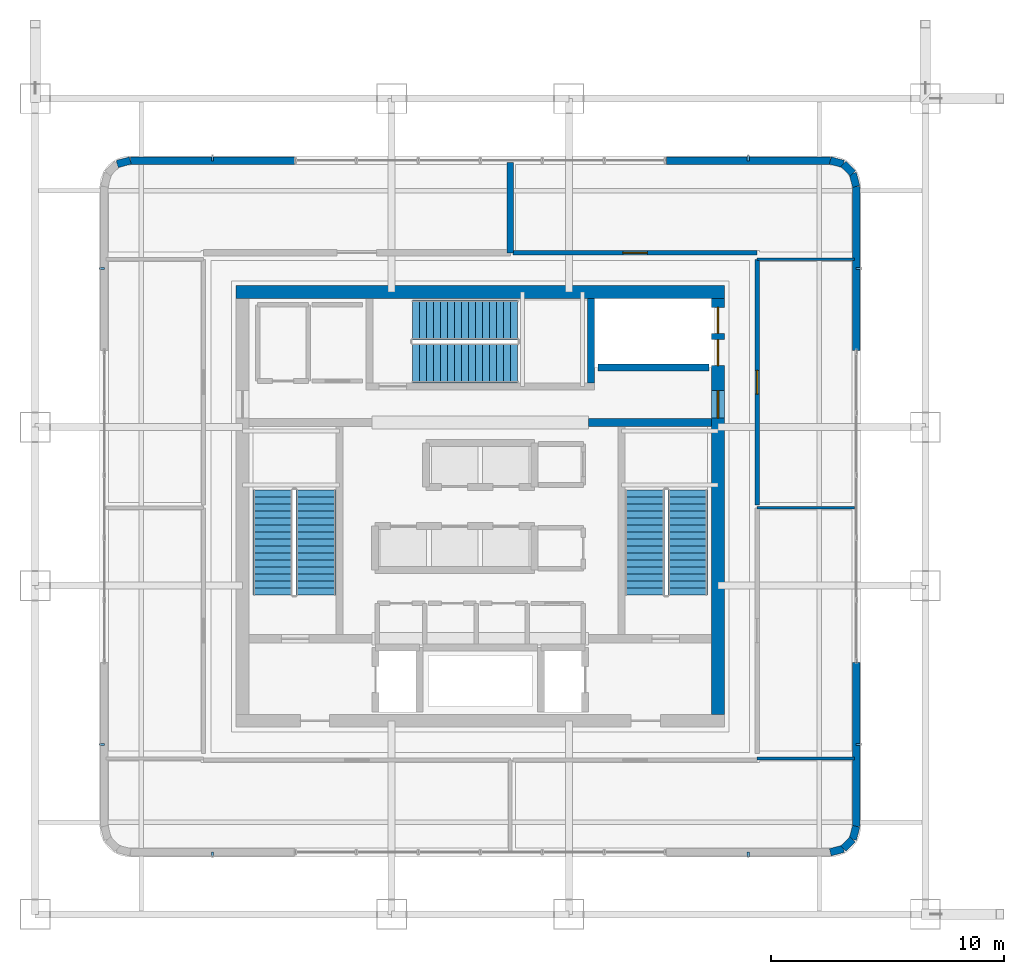
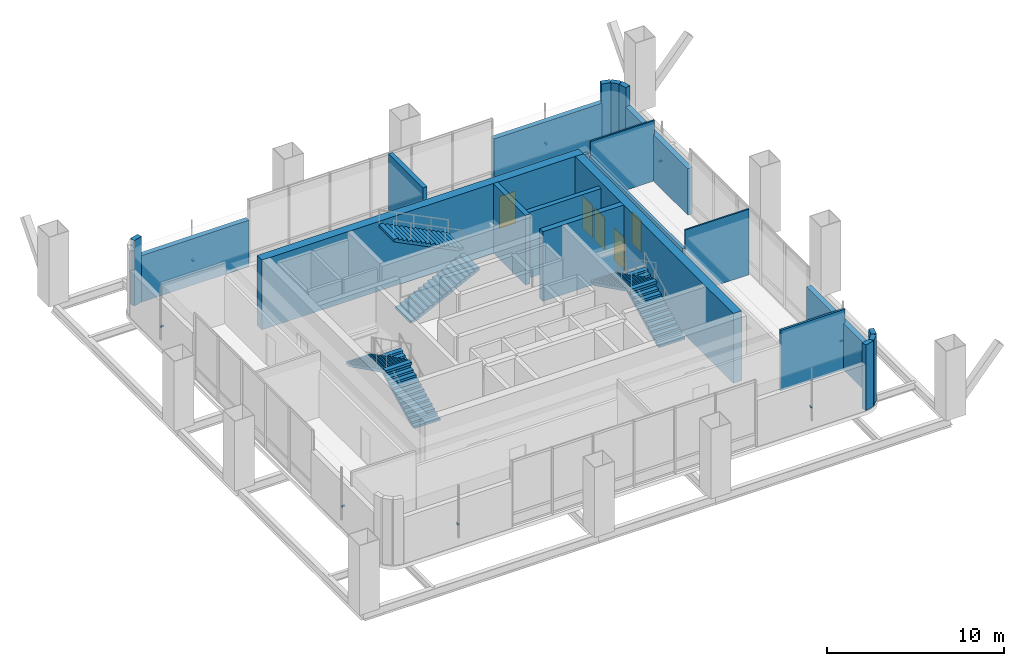
# One storey, part 22 of 33: 22 walls, 8 discrete accessories, 6 stair flights, 5 doors, 5 openings, 3 elements without a shape of their own.
"""IFC4 building model written with IfcOpenShell, lengths in metres."""

from ifc_helpers import new_model, si_unit, direction, frame, frame_2d, origin, origin_2d, place, context, subcontext, project, spatial, polyline, rectangle, outline, extrude, material, layer, layer_set, type_object, element, fill, aggregate, save


model = new_model("IFC4")

# Units and contexts
model_context = context("Model", 3, precision=1e-05, world=origin(), true_north=direction((0.0, 1.0)))
body_context = subcontext(model_context, "Body", "Model", "MODEL_VIEW")
ifc_project = project(units=[si_unit("LENGTHUNIT", "METRE"), si_unit("AREAUNIT", "SQUARE_METRE"), si_unit("VOLUMEUNIT", "CUBIC_METRE"), si_unit("PLANEANGLEUNIT", "RADIAN"), si_unit("MASSUNIT", "GRAM", prefix="KILO")], contexts=[model_context])

# Site, building, storey
site_placement = place(None, origin())
site = spatial("IfcSite", under=ifc_project, at=site_placement, CompositionType="ELEMENT")
building_placement = place(site_placement, origin())
building = spatial("IfcBuilding", under=site, at=building_placement, Name="Punatoya Terracotta Tower", CompositionType="ELEMENT")
storey_placement = place(building_placement, frame((0.0, 0.0, 246.60009765625)))
storey = spatial("IfcBuildingStorey", under=building, at=storey_placement, Name="L58", CompositionType="ELEMENT", Elevation=246.60009765625)

# Walls
ifc_material_1 = material(Name="Concrete C40/50", Category="concrete")
ifc_layer_1 = layer(ifc_material_1, 0.280029296875)
ifc_layer_set_1 = layer_set([ifc_layer_1], Name="Concrete C40/50")
wall_type_1 = type_object("IfcWallType", Name="WL-AUD-280", PredefinedType="SOLIDWALL", material=ifc_layer_set_1)
wall_1_placement = place(storey_placement, frame((1.285888671875, 14.760009765625, 0.0), z_axis=(0.0, 0.0, 1.0), x_axis=(0.0, -1.0, 0.0)))
element("IfcWall", 1, at=wall_1_placement, inside=storey, type_object=wall_type_1, Name="L58 Waterfront Espresso Bistro Partition 35", PredefinedType="SOLIDWALL", context=body_context, shape_type="SweptSolid", body=[
    extrude(rectangle(XDim=3.880126953125, YDim=0.280029296875, at=frame_2d((1.93994140625, 0.0))), origin(), (0.0, 0.0, 1.0), 4.52001953125),
])
ifc_material_2 = material(Name="Concrete C50/60", Category="concrete")
ifc_layer_2 = layer(ifc_material_2, 0.550048828125)
ifc_layer_set_2 = layer_set([ifc_layer_2], Name="Concrete C50/60")
wall_type_2 = type_object("IfcWallType", Name="WL-COR-550", PredefinedType="SHEAR", material=ifc_layer_set_2)
wall_2_placement = place(storey_placement, frame((-10.47509765625, 9.199951171875, 0.0), z_axis=(0.0, 0.0, 1.0), x_axis=(1.0, 0.0, 0.0)))
element("IfcWall", 2, at=wall_2_placement, inside=storey, type_object=wall_type_2, Name="L58 Core Shear Wall N", PredefinedType="SHEAR", context=body_context, shape_type="SweptSolid", body=[
    extrude(rectangle(XDim=20.9501953125, YDim=0.550048828125, at=frame_2d((10.47509765625, 0.0))), origin(), (0.0, 0.0, 1.0), 4.7998046875),
])

# Wall, openings, doors
wall_3_placement = place(storey_placement, frame((10.199951171875, 8.925048828125, 0.0), z_axis=(0.0, 0.0, 1.0), x_axis=(0.0, -1.0, 0.0)))
wall_3 = element("IfcWall", 3, at=wall_3_placement, inside=storey, type_object=wall_type_2, Name="L58 Core Shear Wall E", PredefinedType="SHEAR", context=body_context, shape_type="SweptSolid", body=[
    extrude(rectangle(XDim=17.85009765625, YDim=0.550048828125, at=frame_2d((8.925048828125, 0.0))), origin(), (0.0, 0.0, 1.0), 4.7998046875),
])
opening_1_placement = place(wall_3_placement, frame((3.955078125, 0.0, 0.0)))
opening_1 = element("IfcOpeningElement", 4, at=opening_1_placement, cuts=wall_3, Name="Opening SD-01", PredefinedType="OPENING", context=body_context, shape_type="SweptSolid", body=[
    extrude(rectangle(XDim=1.179931640625, YDim=2.199951171875, at=frame_2d((0.58984375, 1.10009765625))), frame((0.0, 0.284912109375, 0.0), z_axis=(0.0, -1.0, 0.0), x_axis=(1.0, 0.0, 0.0)), (0.0, 0.0, 1.0), 0.570068359375),
])
opening_2_placement = place(wall_3_placement, frame((1.764892578125, 0.0, 0.0)))
opening_2 = element("IfcOpeningElement", 5, at=opening_2_placement, cuts=wall_3, Name="Opening LD-02", PredefinedType="OPENING", context=body_context, shape_type="SweptSolid", body=[
    extrude(rectangle(XDim=1.1201171875, YDim=2.25, at=frame_2d((0.56005859375, 1.125))), frame((0.0, 0.284912109375, 0.0), z_axis=(0.0, -1.0, 0.0), x_axis=(1.0, 0.0, 0.0)), (0.0, 0.0, 1.0), 0.570068359375),
])
opening_3_placement = place(wall_3_placement, frame((0.385009765625, 0.0, 0.0)))
opening_3 = element("IfcOpeningElement", 6, at=opening_3_placement, cuts=wall_3, Name="Opening LD-02", PredefinedType="OPENING", context=body_context, shape_type="SweptSolid", body=[
    extrude(rectangle(XDim=1.1201171875, YDim=2.25, at=frame_2d((0.56005859375, 1.125))), frame((0.0, 0.284912109375, 0.0), z_axis=(0.0, -1.0, 0.0), x_axis=(1.0, 0.0, 0.0)), (0.0, 0.0, 1.0), 0.570068359375),
])
ifc_material_3 = material(Name="Stainless Steel Lift Landing Door", Category="steel")
door_type_1 = type_object("IfcDoorType", Name="DR-LND-1120", OperationType="NOTDEFINED", PredefinedType="DOOR", material=ifc_material_3)
door_1_placement = place(opening_2_placement, origin())
door_1 = element("IfcDoor", 7, at=door_1_placement, inside=storey, type_object=door_type_1, Name="L58 Sky-Lobby Shuttle SL-2A Sliding Landing Door", OperationType="DOUBLE_DOOR_SLIDING", OverallHeight=2.25, OverallWidth=1.1201171875, PredefinedType="DOOR", context=body_context, shape_type="SweptSolid", body=[
    extrude(rectangle(XDim=1.1201171875, YDim=2.25, at=frame_2d((0.56005859375, 1.125))), frame((0.0, 0.02490234375, 0.0), z_axis=(0.0, -1.0, 0.0), x_axis=(1.0, 0.0, 0.0)), (0.0, 0.0, 1.0), 0.050048828125),
])
fill(opening_2, door_1)
door_2_placement = place(opening_3_placement, origin())
door_2 = element("IfcDoor", 8, at=door_2_placement, inside=storey, type_object=door_type_1, Name="L58 Sky-Lobby Shuttle SL-2B Sliding Landing Door", OperationType="DOUBLE_DOOR_SLIDING", OverallHeight=2.25, OverallWidth=1.1201171875, PredefinedType="DOOR", context=body_context, shape_type="SweptSolid", body=[
    extrude(rectangle(XDim=1.1201171875, YDim=2.25, at=frame_2d((0.56005859375, 1.125))), frame((0.0, 0.02490234375, 0.0), z_axis=(0.0, -1.0, 0.0), x_axis=(1.0, 0.0, 0.0)), (0.0, 0.0, 1.0), 0.050048828125),
])
fill(opening_3, door_2)
ifc_material_4 = material(Name="Galvanised Steel Pressurized Stair Fire Door", Category="steel")
door_type_2 = type_object("IfcDoorType", Name="DR-STR-1180", OperationType="NOTDEFINED", PredefinedType="DOOR", material=ifc_material_4)
door_3_placement = place(opening_1_placement, origin())
door_3 = element("IfcDoor", 9, at=door_3_placement, inside=storey, type_object=door_type_2, Name="L58 Central Lift Lobby East Fire Door", OperationType="SINGLE_SWING_RIGHT", OverallHeight=2.199951171875, OverallWidth=1.179931640625, PredefinedType="DOOR", context=body_context, shape_type="SweptSolid", body=[
    extrude(rectangle(XDim=1.179931640625, YDim=2.199951171875, at=frame_2d((0.58984375, 1.10009765625))), frame((0.0, 0.02490234375, 0.0), z_axis=(0.0, -1.0, 0.0), x_axis=(1.0, 0.0, 0.0)), (0.0, 0.0, 1.0), 0.050048828125),
])
fill(opening_1, door_3)

# Wall, opening, door
ifc_material_5 = material(Name="Gypsum Fireboard + Steel Stud", Category="steel")
ifc_layer_3 = layer(ifc_material_5, 0.179931640625)
ifc_layer_set_3 = layer_set([ifc_layer_3], Name="Gypsum Fireboard + Steel Stud")
wall_type_3 = type_object("IfcWallType", Name="WL-CORR-180", PredefinedType="PARTITIONING", material=ifc_layer_set_3)
wall_4_placement = place(storey_placement, frame((11.8798828125, 0.06005859375, 0.0), z_axis=(0.0, 0.0, 1.0), x_axis=(0.0, 1.0, 0.0)))
wall_4 = element("IfcWall", 10, at=wall_4_placement, inside=storey, type_object=wall_type_3, Name="L58 Client Symposium Boardroom Partition 33", PredefinedType="PARTITIONING", context=body_context, shape_type="SweptSolid", body=[
    extrude(rectangle(XDim=10.5400390625, YDim=0.179931640625, at=frame_2d((5.27001953125, 0.0))), origin(), (0.0, 0.0, 1.0), 3.19384765625),
])
opening_4_placement = place(wall_4_placement, frame((4.760009765625, 0.0, 0.0)))
opening_4 = element("IfcOpeningElement", 11, at=opening_4_placement, cuts=wall_4, Name="Opening MD-01", PredefinedType="OPENING", context=body_context, shape_type="SweptSolid", body=[
    extrude(rectangle(XDim=1.02001953125, YDim=2.199951171875, at=frame_2d((0.510009765625, 1.10009765625))), frame((0.0, 0.099853515625, 0.0), z_axis=(0.0, -1.0, 0.0), x_axis=(1.0, 0.0, 0.0)), (0.0, 0.0, 1.0), 0.199951171875),
])
ifc_material_6 = material(Name="Aluminium + Acoustic Glass Leaf", Category="aluminium")
door_type_3 = type_object("IfcDoorType", Name="DR-MTG-1020", OperationType="NOTDEFINED", PredefinedType="DOOR", material=ifc_material_6)
door_4_placement = place(opening_4_placement, origin())
door_4 = element("IfcDoor", 12, at=door_4_placement, inside=storey, type_object=door_type_3, Name="L58 Client Symposium Boardroom Door", OperationType="SINGLE_SWING_RIGHT", OverallHeight=2.199951171875, OverallWidth=1.02001953125, PredefinedType="DOOR", context=body_context, shape_type="SweptSolid", body=[
    extrude(rectangle(XDim=1.02001953125, YDim=2.199951171875, at=frame_2d((0.510009765625, 1.10009765625))), frame((0.0, 0.02490234375, 0.0), z_axis=(0.0, -1.0, 0.0), x_axis=(1.0, 0.0, 0.0)), (0.0, 0.0, 1.0), 0.050048828125),
])
fill(opening_4, door_4)

wall_5_placement = place(storey_placement, frame((11.8798828125, 10.8798828125, 0.0), z_axis=(0.0, 0.0, 1.0), x_axis=(-1.0, 0.0, 0.0)))
wall_5 = element("IfcWall", 13, at=wall_5_placement, inside=storey, type_object=wall_type_3, Name="L58 Sky Lobby Transfer Lounge Partition 37", PredefinedType="PARTITIONING", context=body_context, shape_type="SweptSolid", body=[
    extrude(rectangle(XDim=10.473876953125, YDim=0.179931640625, at=frame_2d((5.23681640625, 0.0))), origin(), (0.0, 0.0, 1.0), 3.19384765625),
])
opening_5_placement = place(wall_5_placement, frame((4.7119140625, 0.0, 0.0)))
opening_5 = element("IfcOpeningElement", 14, at=opening_5_placement, cuts=wall_5, Name="Opening OD-01", PredefinedType="OPENING", context=body_context, shape_type="SweptSolid", body=[
    extrude(rectangle(XDim=1.050048828125, YDim=2.199951171875, at=frame_2d((0.52490234375, 1.10009765625))), frame((0.0, 0.099853515625, 0.0), z_axis=(0.0, -1.0, 0.0), x_axis=(1.0, 0.0, 0.0)), (0.0, 0.0, 1.0), 0.199951171875),
])
ifc_material_7 = material(Name="Bengal Teak Solid-Core Leaf")
door_type_4 = type_object("IfcDoorType", Name="DR-OFF-1050", OperationType="NOTDEFINED", PredefinedType="DOOR", material=ifc_material_7)
door_5_placement = place(opening_5_placement, origin())
door_5 = element("IfcDoor", 15, at=door_5_placement, inside=storey, type_object=door_type_4, Name="L58 Sky Transfer Lounge Door", OperationType="SINGLE_SWING_RIGHT", OverallHeight=2.199951171875, OverallWidth=1.050048828125, PredefinedType="DOOR", context=body_context, shape_type="SweptSolid", body=[
    extrude(rectangle(XDim=1.050048828125, YDim=2.199951171875, at=frame_2d((0.52490234375, 1.10009765625))), frame((0.0, 0.02490234375, 0.0), z_axis=(0.0, -1.0, 0.0), x_axis=(1.0, 0.0, 0.0)), (0.0, 0.0, 1.0), 0.050048828125),
])
fill(opening_5, door_5)

# Walls
ifc_material_8 = material(Name="Precast concrete C40/50", Category="concrete")
ifc_layer_4 = layer(ifc_material_8, 0.320068359375)
ifc_layer_set_4 = layer_set([ifc_layer_4], Name="Precast concrete C40/50")
wall_type_4 = type_object("IfcWallType", Name="WL-EXT-320", PredefinedType="SOLIDWALL", material=ifc_layer_set_4)
wall_6_placement = place(storey_placement, frame((15.016845703125, -14.840087890625, 0.0), z_axis=(0.0, 0.0, 1.0), x_axis=(0.966665515501, 0.256042537758, 0.0)))
element("IfcWall", 16, at=wall_6_placement, inside=storey, type_object=wall_type_4, Name="L58 Rounded Terracotta Corner Pier 02", PredefinedType="SOLIDWALL", context=body_context, shape_type="SweptSolid", body=[
    extrude(rectangle(XDim=0.58154296875, YDim=0.320068359375, at=frame_2d((0.290771484375, 0.0))), origin(), (0.0, 0.0, 1.0), 4.52001953125),
])
wall_7_placement = place(storey_placement, frame((15.5791015625, -14.691162109375, 0.0), z_axis=(0.0, 0.0, 1.0), x_axis=(0.707106781187, 0.707106781187, 0.0)))
element("IfcWall", 17, at=wall_7_placement, inside=storey, type_object=wall_type_4, Name="L58 Rounded Terracotta Corner Pier 03", PredefinedType="SOLIDWALL", context=body_context, shape_type="SweptSolid", body=[
    extrude(rectangle(XDim=0.568603515625, YDim=0.320068359375, at=frame_2d((0.2841796875, 0.0))), origin(), (0.0, 0.0, 1.0), 4.52001953125),
])
wall_8_placement = place(storey_placement, frame((15.981201171875, -14.2890625, 0.0), z_axis=(0.0, 0.0, 1.0), x_axis=(0.255650250031, 0.966769336325, 0.0)))
element("IfcWall", 18, at=wall_8_placement, inside=storey, type_object=wall_type_4, Name="L58 Rounded Terracotta Corner Pier 04", PredefinedType="SOLIDWALL", context=body_context, shape_type="SweptSolid", body=[
    extrude(rectangle(XDim=0.58154296875, YDim=0.320068359375, at=frame_2d((0.290771484375, 0.0))), origin(), (0.0, 0.0, 1.0), 4.52001953125),
])
for number, where, z_axis, x_axis, name in (
    (19, (16.1298828125, -13.726806640625, 0.0), (0.0, 0.0, 1.0), (0.0, 1.0, 0.0), "L58 Terracotta Braced Facade Wall E1"),
    (20, (16.1298828125, 6.68994140625, 0.0), (0.0, 0.0, 1.0), (0.0, 1.0, 0.0), "L58 Terracotta Braced Facade Wall E2"),
):
    element("IfcWall", number, at=place(storey_placement, frame(where, z_axis=z_axis, x_axis=x_axis)), inside=storey, type_object=wall_type_4, Name=name, PredefinedType="SOLIDWALL", context=body_context, shape_type="SweptSolid", body=[
        extrude(rectangle(XDim=7.036865234375, YDim=0.320068359375, at=frame_2d((3.5185546875, 0.0))), origin(), (0.0, 0.0, 1.0), 3.19384765625),
    ])
wall_9_placement = place(storey_placement, frame((16.1298828125, 13.726806640625, 0.0), z_axis=(0.0, 0.0, 1.0), x_axis=(-0.255650250031, 0.966769336325, 0.0)))
element("IfcWall", 21, at=wall_9_placement, inside=storey, type_object=wall_type_4, Name="L58 Rounded Terracotta Corner Pier 06", PredefinedType="SOLIDWALL", context=body_context, shape_type="SweptSolid", body=[
    extrude(rectangle(XDim=0.58154296875, YDim=0.320068359375, at=frame_2d((0.290771484375, 0.0))), origin(), (0.0, 0.0, 1.0), 4.52001953125),
])
wall_10_placement = place(storey_placement, frame((15.981201171875, 14.2890625, 0.0), z_axis=(0.0, 0.0, 1.0), x_axis=(-0.707106781187, 0.707106781187, 0.0)))
element("IfcWall", 22, at=wall_10_placement, inside=storey, type_object=wall_type_4, Name="L58 Rounded Terracotta Corner Pier 07", PredefinedType="SOLIDWALL", context=body_context, shape_type="SweptSolid", body=[
    extrude(rectangle(XDim=0.568603515625, YDim=0.320068359375, at=frame_2d((0.2841796875, 0.0))), origin(), (0.0, 0.0, 1.0), 4.52001953125),
])
wall_11_placement = place(storey_placement, frame((15.5791015625, 14.691162109375, 0.0), z_axis=(0.0, 0.0, 1.0), x_axis=(-0.966665515501, 0.256042537758, 0.0)))
element("IfcWall", 23, at=wall_11_placement, inside=storey, type_object=wall_type_4, Name="L58 Rounded Terracotta Corner Pier 08", PredefinedType="SOLIDWALL", context=body_context, shape_type="SweptSolid", body=[
    extrude(rectangle(XDim=0.58154296875, YDim=0.320068359375, at=frame_2d((0.290771484375, 0.0))), origin(), (0.0, 0.0, 1.0), 4.52001953125),
])
for number, where, z_axis, x_axis, name in (
    (24, (15.016845703125, 14.840087890625, 0.0), (0.0, 0.0, 1.0), (-1.0, 0.0, 0.0), "L58 Terracotta Braced Facade Wall N1"),
    (25, (-7.97998046875, 14.840087890625, 0.0), (0.0, 0.0, 1.0), (-1.0, 0.0, 0.0), "L58 Terracotta Braced Facade Wall N2"),
):
    element("IfcWall", number, at=place(storey_placement, frame(where, z_axis=z_axis, x_axis=x_axis)), inside=storey, type_object=wall_type_4, Name=name, PredefinedType="SOLIDWALL", context=body_context, shape_type="SweptSolid", body=[
        extrude(rectangle(XDim=7.036865234375, YDim=0.320068359375, at=frame_2d((3.5185546875, 0.0))), origin(), (0.0, 0.0, 1.0), 3.19384765625),
    ])
wall_12_placement = place(storey_placement, frame((-15.016845703125, 14.840087890625, 0.0), z_axis=(0.0, 0.0, 1.0), x_axis=(-0.966665515501, -0.256042537758, 0.0)))
element("IfcWall", 26, at=wall_12_placement, inside=storey, type_object=wall_type_4, Name="L58 Rounded Terracotta Corner Pier 10", PredefinedType="SOLIDWALL", context=body_context, shape_type="SweptSolid", body=[
    extrude(rectangle(XDim=0.58154296875, YDim=0.320068359375, at=frame_2d((0.290771484375, 0.0))), origin(), (0.0, 0.0, 1.0), 4.52001953125),
])
ifc_material_9 = material(Name="Aluminium Framed Acoustic Glass Partition", Category="aluminium")
ifc_layer_5 = layer(ifc_material_9, 0.10009765625)
ifc_layer_set_5 = layer_set([ifc_layer_5], Name="Aluminium Framed Acoustic Glass Partition")
wall_type_5 = type_object("IfcWallType", Name="WL-GLZ-100", PredefinedType="PARTITIONING", material=ifc_layer_set_5)
wall_13_placement = place(storey_placement, frame((11.8798828125, -0.06005859375, 0.0), z_axis=(0.0, 0.0, 1.0), x_axis=(1.0, 0.0, 0.0)))
element("IfcWall", 27, at=wall_13_placement, inside=storey, type_object=wall_type_5, Name="L58 Collaborative Seminar Room Partition 30", PredefinedType="PARTITIONING", context=body_context, shape_type="SweptSolid", body=[
    extrude(rectangle(XDim=4.170166015625, YDim=0.10009765625, at=frame_2d((2.0849609375, 0.0))), origin(), (0.0, 0.0, 1.0), 4.52001953125),
])
wall_14_placement = place(storey_placement, frame((11.8798828125, 10.60009765625, 0.0), z_axis=(0.0, 0.0, 1.0), x_axis=(1.0, 0.0, 0.0)))
element("IfcWall", 28, at=wall_14_placement, inside=storey, type_object=wall_type_5, Name="L58 Client Symposium Boardroom Partition 34", PredefinedType="PARTITIONING", context=body_context, shape_type="SweptSolid", body=[
    extrude(rectangle(XDim=4.170166015625, YDim=0.10009765625, at=frame_2d((2.0849609375, 0.0))), origin(), (0.0, 0.0, 1.0), 4.15380859375),
])
ifc_material_10 = material(Name="Acoustic Gypsum + Steel Stud", Category="steel")
ifc_layer_6 = layer(ifc_material_10, 0.139892578125)
ifc_layer_set_6 = layer_set([ifc_layer_6], Name="Acoustic Gypsum + Steel Stud")
wall_type_6 = type_object("IfcWallType", Name="WL-OFF-140", PredefinedType="PARTITIONING", material=ifc_layer_set_6)
wall_15_placement = place(storey_placement, frame((11.8798828125, -10.820068359375, 0.0), z_axis=(0.0, 0.0, 1.0), x_axis=(1.0, 0.0, 0.0)))
element("IfcWall", 29, at=wall_15_placement, inside=storey, type_object=wall_type_6, Name="L58 Digital Reference Library Partition 26", PredefinedType="PARTITIONING", context=body_context, shape_type="SweptSolid", body=[
    extrude(rectangle(XDim=4.170166015625, YDim=0.139892578125, at=frame_2d((2.0849609375, 0.0))), origin(), (0.0, 0.0, 1.0), 4.15380859375),
])
ifc_layer_7 = layer(ifc_material_1, 0.300048828125)
ifc_layer_set_7 = layer_set([ifc_layer_7], Name="Concrete C40/50")
wall_type_7 = type_object("IfcWallType", Name="WL-SHF-300", PredefinedType="SOLIDWALL", material=ifc_layer_set_7)
wall_16_placement = place(storey_placement, frame((4.75, 8.925048828125, 0.0), z_axis=(0.0, 0.0, 1.0), x_axis=(0.0, -1.0, 0.0)))
element("IfcWall", 30, at=wall_16_placement, inside=storey, type_object=wall_type_7, Name="L58 Structural Stair Shaft Wall SW-ST3-E", PredefinedType="SOLIDWALL", context=body_context, shape_type="SweptSolid", body=[
    extrude(rectangle(XDim=3.625, YDim=0.300048828125, at=frame_2d((1.8125, 0.0))), origin(), (0.0, 0.0, 1.0), 4.7998046875),
])
wall_17_placement = place(storey_placement, frame((5.06005859375, 5.949951171875, 0.0), z_axis=(0.0, 0.0, 1.0), x_axis=(1.0, 0.0, 0.0)))
element("IfcWall", 31, at=wall_17_placement, inside=storey, type_object=wall_type_7, Name="L58 Shuttle SL-2 South Hoistway Wall", PredefinedType="SOLIDWALL", context=body_context, shape_type="SweptSolid", body=[
    extrude(rectangle(XDim=4.760009765625, YDim=0.300048828125, at=frame_2d((2.3798828125, 0.0))), origin(), (0.0, 0.0, 1.0), 4.52001953125),
])
ifc_layer_8 = layer(ifc_material_2, 0.35009765625)
ifc_layer_set_8 = layer_set([ifc_layer_8], Name="Concrete C50/60")
wall_type_8 = type_object("IfcWallType", Name="WL-SHF-350", PredefinedType="SOLIDWALL", material=ifc_layer_set_8)
wall_18_placement = place(storey_placement, frame((4.64990234375, 3.60009765625, 0.0), z_axis=(0.0, 0.0, 1.0), x_axis=(1.0, 0.0, 0.0)))
element("IfcWall", 32, at=wall_18_placement, inside=storey, type_object=wall_type_8, Name="L58 Core Web Wall CNW-R", PredefinedType="SOLIDWALL", context=body_context, shape_type="SweptSolid", body=[
    extrude(rectangle(XDim=5.275146484375, YDim=0.35009765625, at=frame_2d((2.6376953125, 0.0))), origin(), (0.0, 0.0, 1.0), 4.7998046875),
])

# Stair, stair flights
stair_type_1 = type_object("IfcStairType", Name="STR-CORE-1550", PredefinedType="HALF_TURN_STAIR", material=ifc_material_1)
stair_1_placement = place(storey_placement, origin())
stair_1 = element("IfcStair", 33, at=stair_1_placement, inside=storey, type_object=stair_type_1, Name="L58 Protected Core Exit Stair ST-1", PredefinedType="HALF_TURN_STAIR")
stair_flight_type_1 = type_object("IfcStairFlightType", Name="SFL-CORE-1550", PredefinedType="STRAIGHT", material=ifc_material_1)
stair_flight_1_placement = place(storey_placement, frame((-7.050048828125, -3.800048828125, 0.0), z_axis=(0.0, 0.0, 1.0), x_axis=(0.0, 1.0, 0.0)))
stair_flight_1 = element("IfcStairFlight", 34, at=stair_flight_1_placement, type_object=stair_flight_type_1, Name="ST-1 flight 1", NumberOfRisers=16, NumberOfTreads=15, PredefinedType="STRAIGHT", RiserHeight=0.15, TreadLength=0.3, context=body_context, shape_type="SweptSolid", body=[
    extrude(outline(polyline([(0.0, 0.0), (0.0, 0.14990234375), (0.300048828125, 0.14990234375), (0.300048828125, 0.300048828125), (0.60009765625, 0.300048828125), (0.60009765625, 0.449951171875), (0.89990234375, 0.449951171875), (0.89990234375, 0.60009765625), (1.199951171875, 0.60009765625), (1.199951171875, 0.75), (1.5, 0.75), (1.5, 0.89990234375), (1.800048828125, 0.89990234375), (1.800048828125, 1.050048828125), (2.10009765625, 1.050048828125), (2.10009765625, 1.199951171875), (2.39990234375, 1.199951171875), (2.39990234375, 1.35009765625), (2.699951171875, 1.35009765625), (2.699951171875, 1.5), (3.0, 1.5), (3.0, 1.64990234375), (3.300048828125, 1.64990234375), (3.300048828125, 1.800048828125), (3.60009765625, 1.800048828125), (3.60009765625, 1.949951171875), (3.89990234375, 1.949951171875), (3.89990234375, 2.10009765625), (4.199951171875, 2.10009765625), (4.199951171875, 2.25), (4.5, 2.25), (4.5, 2.39990234375), (4.5, 2.08251953125), (0.335205078125, 0.0), (0.0, 0.0)])), frame((0.0, 0.85009765625, 0.0), z_axis=(0.0, -1.0, 0.0), x_axis=(1.0, 0.0, 0.0)), (0.0, 0.0, 1.0), 1.699951171875),
])
stair_flight_2_placement = place(storey_placement, frame((-8.89990234375, 0.699951171875, 2.39990234375), z_axis=(0.0, 0.0, 1.0), x_axis=(0.0, -1.0, 0.0)))
stair_flight_2 = element("IfcStairFlight", 35, at=stair_flight_2_placement, type_object=stair_flight_type_1, Name="ST-1 flight 2", NumberOfRisers=16, NumberOfTreads=15, PredefinedType="STRAIGHT", RiserHeight=0.15, TreadLength=0.3, context=body_context, shape_type="SweptSolid", body=[
    extrude(outline(polyline([(0.0, 0.0), (0.0, 0.14990234375), (0.300048828125, 0.14990234375), (0.300048828125, 0.300048828125), (0.60009765625, 0.300048828125), (0.60009765625, 0.449951171875), (0.89990234375, 0.449951171875), (0.89990234375, 0.60009765625), (1.199951171875, 0.60009765625), (1.199951171875, 0.75), (1.5, 0.75), (1.5, 0.89990234375), (1.800048828125, 0.89990234375), (1.800048828125, 1.050048828125), (2.10009765625, 1.050048828125), (2.10009765625, 1.199951171875), (2.39990234375, 1.199951171875), (2.39990234375, 1.35009765625), (2.699951171875, 1.35009765625), (2.699951171875, 1.5), (3.0, 1.5), (3.0, 1.64990234375), (3.300048828125, 1.64990234375), (3.300048828125, 1.800048828125), (3.60009765625, 1.800048828125), (3.60009765625, 1.949951171875), (3.89990234375, 1.949951171875), (3.89990234375, 2.10009765625), (4.199951171875, 2.10009765625), (4.199951171875, 2.25), (4.5, 2.25), (4.5, 2.39990234375), (4.5, 2.08251953125), (0.335205078125, 0.0), (0.0, 0.0)])), frame((0.0, 0.85009765625, 0.0), z_axis=(0.0, -1.0, 0.0), x_axis=(1.0, 0.0, 0.0)), (0.0, 0.0, 1.0), 1.699951171875),
])
aggregate(stair_1, [stair_flight_1, stair_flight_2])

stair_type_2 = type_object("IfcStairType", Name="STR-LOB-1650", PredefinedType="HALF_TURN_STAIR", material=ifc_material_1)
stair_2_placement = place(storey_placement, origin())
stair_2 = element("IfcStair", 36, at=stair_2_placement, inside=storey, type_object=stair_type_2, Name="L58 Protected Core Exit Stair ST-2", PredefinedType="HALF_TURN_STAIR")
stair_flight_type_2 = type_object("IfcStairFlightType", Name="SFL-LOB-1650", PredefinedType="STRAIGHT", material=ifc_material_1)
stair_flight_3_placement = place(storey_placement, frame((8.89990234375, -3.800048828125, 0.0), z_axis=(0.0, 0.0, 1.0), x_axis=(0.0, 1.0, 0.0)))
stair_flight_3 = element("IfcStairFlight", 37, at=stair_flight_3_placement, type_object=stair_flight_type_2, Name="ST-2 flight 1", NumberOfRisers=16, NumberOfTreads=15, PredefinedType="STRAIGHT", RiserHeight=0.15, TreadLength=0.3, context=body_context, shape_type="SweptSolid", body=[
    extrude(outline(polyline([(0.0, 0.0), (0.0, 0.14990234375), (0.300048828125, 0.14990234375), (0.300048828125, 0.300048828125), (0.60009765625, 0.300048828125), (0.60009765625, 0.449951171875), (0.89990234375, 0.449951171875), (0.89990234375, 0.60009765625), (1.199951171875, 0.60009765625), (1.199951171875, 0.75), (1.5, 0.75), (1.5, 0.89990234375), (1.800048828125, 0.89990234375), (1.800048828125, 1.050048828125), (2.10009765625, 1.050048828125), (2.10009765625, 1.199951171875), (2.39990234375, 1.199951171875), (2.39990234375, 1.35009765625), (2.699951171875, 1.35009765625), (2.699951171875, 1.5), (3.0, 1.5), (3.0, 1.64990234375), (3.300048828125, 1.64990234375), (3.300048828125, 1.800048828125), (3.60009765625, 1.800048828125), (3.60009765625, 1.949951171875), (3.89990234375, 1.949951171875), (3.89990234375, 2.10009765625), (4.199951171875, 2.10009765625), (4.199951171875, 2.25), (4.5, 2.25), (4.5, 2.39990234375), (4.5, 2.08251953125), (0.335205078125, 0.0), (0.0, 0.0)])), frame((0.0, 0.85009765625, 0.0), z_axis=(0.0, -1.0, 0.0), x_axis=(1.0, 0.0, 0.0)), (0.0, 0.0, 1.0), 1.699951171875),
])
stair_flight_4_placement = place(storey_placement, frame((7.050048828125, 0.699951171875, 2.39990234375), z_axis=(0.0, 0.0, 1.0), x_axis=(0.0, -1.0, 0.0)))
stair_flight_4 = element("IfcStairFlight", 38, at=stair_flight_4_placement, type_object=stair_flight_type_2, Name="ST-2 flight 2", NumberOfRisers=16, NumberOfTreads=15, PredefinedType="STRAIGHT", RiserHeight=0.15, TreadLength=0.3, context=body_context, shape_type="SweptSolid", body=[
    extrude(outline(polyline([(0.0, 0.0), (0.0, 0.14990234375), (0.300048828125, 0.14990234375), (0.300048828125, 0.300048828125), (0.60009765625, 0.300048828125), (0.60009765625, 0.449951171875), (0.89990234375, 0.449951171875), (0.89990234375, 0.60009765625), (1.199951171875, 0.60009765625), (1.199951171875, 0.75), (1.5, 0.75), (1.5, 0.89990234375), (1.800048828125, 0.89990234375), (1.800048828125, 1.050048828125), (2.10009765625, 1.050048828125), (2.10009765625, 1.199951171875), (2.39990234375, 1.199951171875), (2.39990234375, 1.35009765625), (2.699951171875, 1.35009765625), (2.699951171875, 1.5), (3.0, 1.5), (3.0, 1.64990234375), (3.300048828125, 1.64990234375), (3.300048828125, 1.800048828125), (3.60009765625, 1.800048828125), (3.60009765625, 1.949951171875), (3.89990234375, 1.949951171875), (3.89990234375, 2.10009765625), (4.199951171875, 2.10009765625), (4.199951171875, 2.25), (4.5, 2.25), (4.5, 2.39990234375), (4.5, 2.08251953125), (0.335205078125, 0.0), (0.0, 0.0)])), frame((0.0, 0.85009765625, 0.0), z_axis=(0.0, -1.0, 0.0), x_axis=(1.0, 0.0, 0.0)), (0.0, 0.0, 1.0), 1.699951171875),
])
aggregate(stair_2, [stair_flight_3, stair_flight_4])

stair_type_3 = type_object("IfcStairType", Name="STR-TER-1450", PredefinedType="HALF_TURN_STAIR", material=ifc_material_1)
stair_3_placement = place(storey_placement, origin())
stair_3 = element("IfcStair", 39, at=stair_3_placement, inside=storey, type_object=stair_type_3, Name="L58 Protected Core Exit Stair ST-3", PredefinedType="HALF_TURN_STAIR")
stair_flight_type_3 = type_object("IfcStairFlightType", Name="SFL-TER-1450", PredefinedType="STRAIGHT", material=ifc_material_1)
stair_flight_5_placement = place(storey_placement, frame((-2.89990234375, 6.14990234375, 0.0), z_axis=(0.0, 0.0, 1.0), x_axis=(1.0, 0.0, 0.0)))
stair_flight_5 = element("IfcStairFlight", 40, at=stair_flight_5_placement, type_object=stair_flight_type_3, Name="ST-3 flight 1", NumberOfRisers=16, NumberOfTreads=15, PredefinedType="STRAIGHT", RiserHeight=0.15, TreadLength=0.3, context=body_context, shape_type="SweptSolid", body=[
    extrude(outline(polyline([(0.0, 0.0), (0.0, 0.14990234375), (0.300048828125, 0.14990234375), (0.300048828125, 0.300048828125), (0.60009765625, 0.300048828125), (0.60009765625, 0.449951171875), (0.89990234375, 0.449951171875), (0.89990234375, 0.60009765625), (1.199951171875, 0.60009765625), (1.199951171875, 0.75), (1.5, 0.75), (1.5, 0.89990234375), (1.800048828125, 0.89990234375), (1.800048828125, 1.050048828125), (2.10009765625, 1.050048828125), (2.10009765625, 1.199951171875), (2.39990234375, 1.199951171875), (2.39990234375, 1.35009765625), (2.699951171875, 1.35009765625), (2.699951171875, 1.5), (3.0, 1.5), (3.0, 1.64990234375), (3.300048828125, 1.64990234375), (3.300048828125, 1.800048828125), (3.60009765625, 1.800048828125), (3.60009765625, 1.949951171875), (3.89990234375, 1.949951171875), (3.89990234375, 2.10009765625), (4.199951171875, 2.10009765625), (4.199951171875, 2.25), (4.5, 2.25), (4.5, 2.39990234375), (4.5, 2.08251953125), (0.335205078125, 0.0), (0.0, 0.0)])), frame((0.0, 0.85009765625, 0.0), z_axis=(0.0, -1.0, 0.0), x_axis=(1.0, 0.0, 0.0)), (0.0, 0.0, 1.0), 1.699951171875),
])
stair_flight_6_placement = place(storey_placement, frame((1.60009765625, 8.0, 2.39990234375), z_axis=(0.0, 0.0, 1.0), x_axis=(-1.0, 0.0, 0.0)))
stair_flight_6 = element("IfcStairFlight", 41, at=stair_flight_6_placement, type_object=stair_flight_type_3, Name="ST-3 flight 2", NumberOfRisers=16, NumberOfTreads=15, PredefinedType="STRAIGHT", RiserHeight=0.15, TreadLength=0.3, context=body_context, shape_type="SweptSolid", body=[
    extrude(outline(polyline([(0.0, 0.0), (0.0, 0.14990234375), (0.300048828125, 0.14990234375), (0.300048828125, 0.300048828125), (0.60009765625, 0.300048828125), (0.60009765625, 0.449951171875), (0.89990234375, 0.449951171875), (0.89990234375, 0.60009765625), (1.199951171875, 0.60009765625), (1.199951171875, 0.75), (1.5, 0.75), (1.5, 0.89990234375), (1.800048828125, 0.89990234375), (1.800048828125, 1.050048828125), (2.10009765625, 1.050048828125), (2.10009765625, 1.199951171875), (2.39990234375, 1.199951171875), (2.39990234375, 1.35009765625), (2.699951171875, 1.35009765625), (2.699951171875, 1.5), (3.0, 1.5), (3.0, 1.64990234375), (3.300048828125, 1.64990234375), (3.300048828125, 1.800048828125), (3.60009765625, 1.800048828125), (3.60009765625, 1.949951171875), (3.89990234375, 1.949951171875), (3.89990234375, 2.10009765625), (4.199951171875, 2.10009765625), (4.199951171875, 2.25), (4.5, 2.25), (4.5, 2.39990234375), (4.5, 2.08251953125), (0.335205078125, 0.0), (0.0, 0.0)])), frame((0.0, 0.85009765625, 0.0), z_axis=(0.0, -1.0, 0.0), x_axis=(1.0, 0.0, 0.0)), (0.0, 0.0, 1.0), 1.699951171875),
])
aggregate(stair_3, [stair_flight_5, stair_flight_6])

# Discrete accessories
ifc_material_11 = material(Name="Steel S355", Category="steel")
discrete_accessory_type = type_object("IfcDiscreteAccessoryType", Name="ACC-BRK-220", PredefinedType="BRACKET", material=ifc_material_11)
for number, where, z_axis, x_axis, name in (
    (42, (-11.49853515625, -14.93994140625, 1.449951171875), (0.0, 0.0, 1.0), (1.0, 0.0, 0.0), "L58 Jali Fin Support Bracket S1"),
    (43, (11.49853515625, -14.93994140625, 1.449951171875), (0.0, 0.0, 1.0), (1.0, 0.0, 0.0), "L58 Jali Fin Support Bracket S2"),
    (44, (16.22998046875, -10.20849609375, 1.449951171875), (0.0, 0.0, 1.0), (0.0, 1.0, 0.0), "L58 Jali Fin Support Bracket E1"),
    (45, (16.22998046875, 10.20849609375, 1.449951171875), (0.0, 0.0, 1.0), (0.0, 1.0, 0.0), "L58 Jali Fin Support Bracket E2"),
    (46, (11.49853515625, 14.93994140625, 1.449951171875), (0.0, 0.0, 1.0), (-1.0, 0.0, 0.0), "L58 Jali Fin Support Bracket N1"),
    (47, (-11.49853515625, 14.93994140625, 1.449951171875), (0.0, 0.0, 1.0), (-1.0, 0.0, 0.0), "L58 Jali Fin Support Bracket N2"),
    (48, (-16.22998046875, 10.20849609375, 1.449951171875), (0.0, 0.0, 1.0), (0.0, -1.0, 0.0), "L58 Jali Fin Support Bracket W1"),
    (49, (-16.22998046875, -10.20849609375, 1.449951171875), (0.0, 0.0, 1.0), (0.0, -1.0, 0.0), "L58 Jali Fin Support Bracket W2"),
):
    element("IfcDiscreteAccessory", number, at=place(storey_placement, frame(where, z_axis=z_axis, x_axis=x_axis)), inside=storey, type_object=discrete_accessory_type, Name=name, PredefinedType="BRACKET", context=body_context, shape_type="SweptSolid", body=[
        extrude(rectangle(XDim=0.090087890625, YDim=0.219970703125, at=origin_2d()), origin(), (0.0, 0.0, 1.0), 0.10009765625),
    ])

save(model, "model.ifc")
